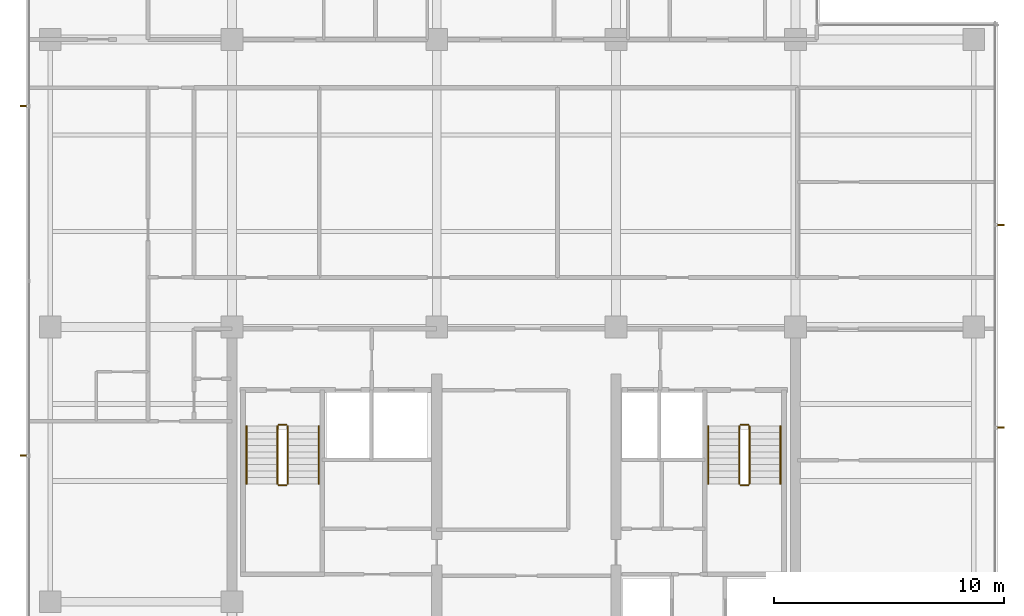
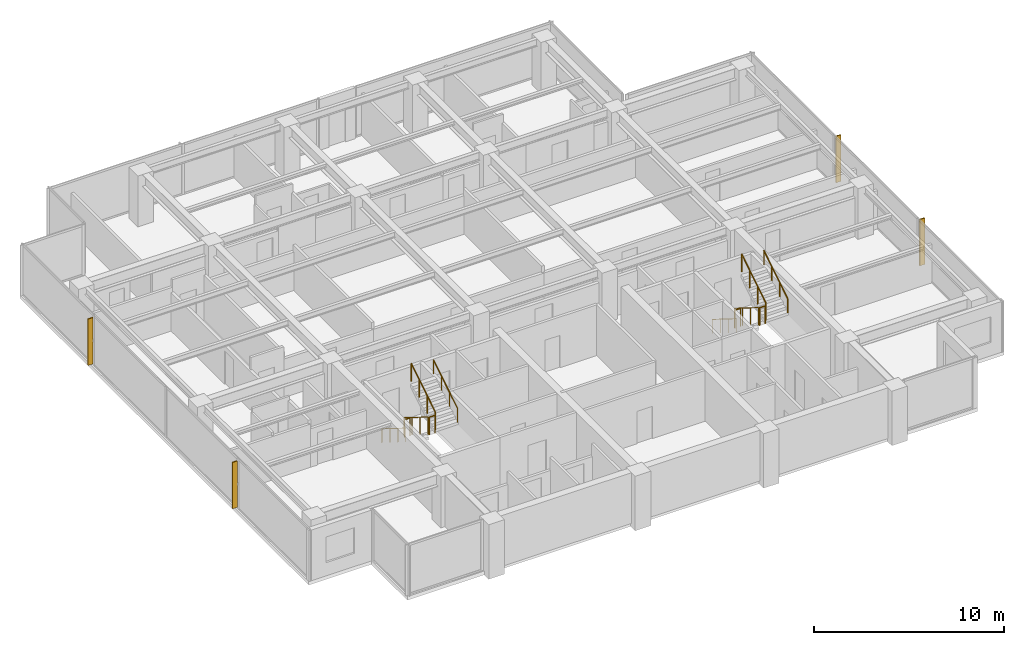
# One storey, part 14 of 15: 12 railings, 4 shading devices.
"""IFC4 building model written with IfcOpenShell, lengths in metres."""

from ifc_helpers import new_model, si_unit, direction, frame, origin, origin_2d, place, context, subcontext, project, spatial, polyline, circle, outline, extrude, material, layer, layer_set, type_object, element, save


model = new_model("IFC4")

# Units and contexts
model_context = context("Model", 3, precision=1e-05, world=origin(), true_north=direction((0.0, 1.0)))
body_context = subcontext(model_context, "Body", "Model", "MODEL_VIEW")
ifc_project = project(units=[si_unit("LENGTHUNIT", "METRE"), si_unit("AREAUNIT", "SQUARE_METRE"), si_unit("VOLUMEUNIT", "CUBIC_METRE"), si_unit("PLANEANGLEUNIT", "RADIAN"), si_unit("MASSUNIT", "GRAM", prefix="KILO")], contexts=[model_context])

# Site, building, storey
site_placement = place(None, origin())
site = spatial("IfcSite", under=ifc_project, at=site_placement, CompositionType="ELEMENT")
building_placement = place(site_placement, origin())
building = spatial("IfcBuilding", under=site, at=building_placement, Name="Qalmaran Belvedere Hotel", CompositionType="ELEMENT")
storey_placement = place(building_placement, frame((0.0, 0.0, 231.89990234375)))
storey = spatial("IfcBuildingStorey", under=building, at=storey_placement, Name="L59", CompositionType="ELEMENT", Elevation=231.89990234375)

# Shading devices
ifc_material_1 = material(Name="Anodised Bronze Aluminium", Category="aluminium")
ifc_layer = layer(ifc_material_1, 0.06494140625, Name="Anodised Bronze Aluminium")
ifc_layer_set = layer_set([ifc_layer], Name="Anodised Bronze Aluminium")
shading_device_type = type_object("IfcShadingDeviceType", Name="FIN-BRNZ-300", PredefinedType="USERDEFINED", material=ifc_layer_set)
shading_device_1_placement = place(storey_placement, frame((0.0, 0.0, 0.16015625)))
element("IfcShadingDevice", 1, at=shading_device_1_placement, inside=storey, type_object=shading_device_type, Name="L59 Bronze Fin 1", ObjectType="FIN", PredefinedType="USERDEFINED", context=body_context, shape_type="SweptSolid", body=[
    extrude(outline(polyline([(53.5673828125, 16.084228515625), (53.867431640625, 16.084228515625), (53.867431640625, 16.149169921875), (53.5673828125, 16.149169921875), (53.5673828125, 16.084228515625)])), origin(), (0.0, 0.0, 1.0), 2.97998046875),
])
shading_device_2_placement = place(storey_placement, frame((0.0, 0.0, 0.16015625)))
element("IfcShadingDevice", 2, at=shading_device_2_placement, inside=storey, type_object=shading_device_type, Name="L59 Bronze Fin 2", ObjectType="FIN", PredefinedType="USERDEFINED", context=body_context, shape_type="SweptSolid", body=[
    extrude(outline(polyline([(53.5673828125, 24.90087890625), (53.867431640625, 24.90087890625), (53.867431640625, 24.9658203125), (53.5673828125, 24.9658203125), (53.5673828125, 24.90087890625)])), origin(), (0.0, 0.0, 1.0), 2.97998046875),
])
shading_device_3_placement = place(storey_placement, frame((0.0, 0.0, 0.16015625)))
element("IfcShadingDevice", 3, at=shading_device_3_placement, inside=storey, type_object=shading_device_type, Name="L59 Bronze Fin 1", ObjectType="FIN", PredefinedType="USERDEFINED", context=body_context, shape_type="SweptSolid", body=[
    extrude(outline(polyline([(11.382568359375, 30.132568359375), (11.08251953125, 30.132568359375), (11.08251953125, 30.0673828125), (11.382568359375, 30.0673828125), (11.382568359375, 30.132568359375)])), origin(), (0.0, 0.0, 1.0), 2.97998046875),
])
shading_device_4_placement = place(storey_placement, frame((0.0, 0.0, 0.16015625)))
element("IfcShadingDevice", 4, at=shading_device_4_placement, inside=storey, type_object=shading_device_type, Name="L59 Bronze Fin 3", ObjectType="FIN", PredefinedType="USERDEFINED", context=body_context, shape_type="SweptSolid", body=[
    extrude(outline(polyline([(11.382568359375, 14.9326171875), (11.08251953125, 14.9326171875), (11.08251953125, 14.867431640625), (11.382568359375, 14.867431640625), (11.382568359375, 14.9326171875)])), origin(), (0.0, 0.0, 1.0), 2.97998046875),
])

# Railings
ifc_material_2 = material(Name="Stainless Steel 1.4401", Category="steel")
railing_type_1 = type_object("IfcRailingType", Name="RLG-STAIR-GUARD-1150", PredefinedType="GUARDRAIL", material=ifc_material_2)
railing_1_placement = place(storey_placement, frame((22.280029296875, 16.18994140625, 0.175048828125)))
element("IfcRailing", 5, at=railing_1_placement, inside=storey, type_object=railing_type_1, Name="L59 ST-1 stair guard 1", PredefinedType="GUARDRAIL", context=body_context, shape_type="SweptSolid", body=[
    extrude(circle(Radius=0.02392578125, at=origin_2d()), frame((0.0, 0.0, 1.1259765625), z_axis=(0.0, -0.848007534815, 0.529984170421), x_axis=(1.0, 0.0, 0.0)), (0.0, 0.0, 1.0), 2.9716796875),
    extrude(circle(Radius=0.02099609375, at=origin_2d()), origin(), (0.0, 0.0, 1.0), 1.101806640625),
    extrude(circle(Radius=0.02099609375, at=origin_2d()), frame((0.0, -0.840087890625, 0.52490234375)), (0.0, 0.0, 1.0), 1.101806640625),
    extrude(circle(Radius=0.02099609375, at=origin_2d()), frame((0.0, -1.679931640625, 1.050048828125)), (0.0, 0.0, 1.0), 1.101806640625),
    extrude(circle(Radius=0.02099609375, at=origin_2d()), frame((0.0, -2.52001953125, 1.574951171875)), (0.0, 0.0, 1.0), 1.101806640625),
])
railing_2_placement = place(storey_placement, frame((22.330078125, 13.6201171875, 1.75)))
element("IfcRailing", 6, at=railing_2_placement, inside=storey, type_object=railing_type_1, Name="L59 ST-1 stair guard 2", PredefinedType="GUARDRAIL", context=body_context, shape_type="SweptSolid", body=[
    extrude(circle(Radius=0.02392578125, at=origin_2d()), frame((0.0, 0.0, 1.1259765625), z_axis=(1.0, 0.0, 0.0), x_axis=(0.0, 1.0, 0.0)), (0.0, 0.0, 1.0), 0.33984375),
    extrude(circle(Radius=0.02099609375, at=origin_2d()), origin(), (0.0, 0.0, 1.0), 1.101806640625),
    extrude(circle(Radius=0.02099609375, at=origin_2d()), frame((0.33984375, 0.0, 0.0)), (0.0, 0.0, 1.0), 1.101806640625),
])
railing_3_placement = place(storey_placement, frame((22.719970703125, 13.669921875, 1.925048828125)))
element("IfcRailing", 7, at=railing_3_placement, inside=storey, type_object=railing_type_1, Name="L59 ST-1 stair guard 3", PredefinedType="GUARDRAIL", context=body_context, shape_type="SweptSolid", body=[
    extrude(circle(Radius=0.02392578125, at=origin_2d()), frame((0.0, 0.0, 1.1259765625), z_axis=(0.0, 0.848007534815, 0.529984170421), x_axis=(-1.0, 0.0, 0.0)), (0.0, 0.0, 1.0), 2.9716796875),
    extrude(circle(Radius=0.02099609375, at=origin_2d()), origin(), (0.0, 0.0, 1.0), 1.101806640625),
    extrude(circle(Radius=0.02099609375, at=origin_2d()), frame((0.0, 0.840087890625, 0.52490234375)), (0.0, 0.0, 1.0), 1.101806640625),
    extrude(circle(Radius=0.02099609375, at=origin_2d()), frame((0.0, 1.679931640625, 1.050048828125)), (0.0, 0.0, 1.0), 1.101806640625),
    extrude(circle(Radius=0.02099609375, at=origin_2d()), frame((0.0, 2.52001953125, 1.574951171875)), (0.0, 0.0, 1.0), 1.101806640625),
])
railing_4_placement = place(storey_placement, frame((22.330078125, 16.239990234375, 0.0)))
element("IfcRailing", 8, at=railing_4_placement, inside=storey, type_object=railing_type_1, Name="L59 ST-1 stair guard 4", PredefinedType="GUARDRAIL", context=body_context, shape_type="SweptSolid", body=[
    extrude(circle(Radius=0.02392578125, at=origin_2d()), frame((0.0, 0.0, 1.1259765625), z_axis=(1.0, 0.0, 0.0), x_axis=(0.0, 1.0, 0.0)), (0.0, 0.0, 1.0), 0.33984375),
    extrude(circle(Radius=0.02099609375, at=origin_2d()), origin(), (0.0, 0.0, 1.0), 1.101806640625),
    extrude(circle(Radius=0.02099609375, at=origin_2d()), frame((0.33984375, 0.0, 0.0)), (0.0, 0.0, 1.0), 1.101806640625),
])
railing_5_placement = place(storey_placement, frame((42.360107421875, 16.18994140625, 0.175048828125)))
element("IfcRailing", 9, at=railing_5_placement, inside=storey, type_object=railing_type_1, Name="L59 ST-2 stair guard 1", PredefinedType="GUARDRAIL", context=body_context, shape_type="SweptSolid", body=[
    extrude(circle(Radius=0.02392578125, at=origin_2d()), frame((0.0, 0.0, 1.1259765625), z_axis=(0.0, -0.848007534815, 0.529984170421), x_axis=(1.0, 0.0, 0.0)), (0.0, 0.0, 1.0), 2.9716796875),
    extrude(circle(Radius=0.02099609375, at=origin_2d()), origin(), (0.0, 0.0, 1.0), 1.101806640625),
    extrude(circle(Radius=0.02099609375, at=origin_2d()), frame((0.0, -0.840087890625, 0.52490234375)), (0.0, 0.0, 1.0), 1.101806640625),
    extrude(circle(Radius=0.02099609375, at=origin_2d()), frame((0.0, -1.679931640625, 1.050048828125)), (0.0, 0.0, 1.0), 1.101806640625),
    extrude(circle(Radius=0.02099609375, at=origin_2d()), frame((0.0, -2.52001953125, 1.574951171875)), (0.0, 0.0, 1.0), 1.101806640625),
])
railing_6_placement = place(storey_placement, frame((42.409912109375, 13.6201171875, 1.75)))
element("IfcRailing", 10, at=railing_6_placement, inside=storey, type_object=railing_type_1, Name="L59 ST-2 stair guard 2", PredefinedType="GUARDRAIL", context=body_context, shape_type="SweptSolid", body=[
    extrude(circle(Radius=0.02392578125, at=origin_2d()), frame((0.0, 0.0, 1.1259765625), z_axis=(1.0, 0.0, 0.0), x_axis=(0.0, 1.0, 0.0)), (0.0, 0.0, 1.0), 0.340087890625),
    extrude(circle(Radius=0.02099609375, at=origin_2d()), origin(), (0.0, 0.0, 1.0), 1.101806640625),
    extrude(circle(Radius=0.02099609375, at=origin_2d()), frame((0.340087890625, 0.0, 0.0)), (0.0, 0.0, 1.0), 1.101806640625),
])
railing_7_placement = place(storey_placement, frame((42.800048828125, 13.669921875, 1.925048828125)))
element("IfcRailing", 11, at=railing_7_placement, inside=storey, type_object=railing_type_1, Name="L59 ST-2 stair guard 3", PredefinedType="GUARDRAIL", context=body_context, shape_type="SweptSolid", body=[
    extrude(circle(Radius=0.02392578125, at=origin_2d()), frame((0.0, 0.0, 1.1259765625), z_axis=(0.0, 0.848007534815, 0.529984170421), x_axis=(-1.0, 0.0, 0.0)), (0.0, 0.0, 1.0), 2.9716796875),
    extrude(circle(Radius=0.02099609375, at=origin_2d()), origin(), (0.0, 0.0, 1.0), 1.101806640625),
    extrude(circle(Radius=0.02099609375, at=origin_2d()), frame((0.0, 0.840087890625, 0.52490234375)), (0.0, 0.0, 1.0), 1.101806640625),
    extrude(circle(Radius=0.02099609375, at=origin_2d()), frame((0.0, 1.679931640625, 1.050048828125)), (0.0, 0.0, 1.0), 1.101806640625),
    extrude(circle(Radius=0.02099609375, at=origin_2d()), frame((0.0, 2.52001953125, 1.574951171875)), (0.0, 0.0, 1.0), 1.101806640625),
])
railing_8_placement = place(storey_placement, frame((42.409912109375, 16.239990234375, 0.0)))
element("IfcRailing", 12, at=railing_8_placement, inside=storey, type_object=railing_type_1, Name="L59 ST-2 stair guard 4", PredefinedType="GUARDRAIL", context=body_context, shape_type="SweptSolid", body=[
    extrude(circle(Radius=0.02392578125, at=origin_2d()), frame((0.0, 0.0, 1.1259765625), z_axis=(1.0, 0.0, 0.0), x_axis=(0.0, 1.0, 0.0)), (0.0, 0.0, 1.0), 0.340087890625),
    extrude(circle(Radius=0.02099609375, at=origin_2d()), origin(), (0.0, 0.0, 1.0), 1.101806640625),
    extrude(circle(Radius=0.02099609375, at=origin_2d()), frame((0.340087890625, 0.0, 0.0)), (0.0, 0.0, 1.0), 1.101806640625),
])
railing_type_2 = type_object("IfcRailingType", Name="RLG-STAIR-HAND-910", PredefinedType="HANDRAIL", material=ifc_material_2)
railing_9_placement = place(storey_placement, frame((20.929931640625, 16.18994140625, 0.175048828125)))
element("IfcRailing", 13, at=railing_9_placement, inside=storey, type_object=railing_type_2, Name="L59 ST-1 stair handrail 1", PredefinedType="HANDRAIL", context=body_context, shape_type="SweptSolid", body=[
    extrude(circle(Radius=0.02392578125, at=origin_2d()), frame((0.0, 0.0, 0.8857421875), z_axis=(0.0, -0.848007534815, 0.529984170421), x_axis=(1.0, 0.0, 0.0)), (0.0, 0.0, 1.0), 2.9716796875),
    extrude(circle(Radius=0.02099609375, at=origin_2d()), origin(), (0.0, 0.0, 1.0), 0.86181640625),
    extrude(circle(Radius=0.02099609375, at=origin_2d()), frame((0.0, -0.840087890625, 0.52490234375)), (0.0, 0.0, 1.0), 0.86181640625),
    extrude(circle(Radius=0.02099609375, at=origin_2d()), frame((0.0, -1.679931640625, 1.050048828125)), (0.0, 0.0, 1.0), 0.86181640625),
    extrude(circle(Radius=0.02099609375, at=origin_2d()), frame((0.0, -2.52001953125, 1.574951171875)), (0.0, 0.0, 1.0), 0.86181640625),
])
railing_10_placement = place(storey_placement, frame((24.070068359375, 13.669921875, 1.925048828125)))
element("IfcRailing", 14, at=railing_10_placement, inside=storey, type_object=railing_type_2, Name="L59 ST-1 stair handrail 2", PredefinedType="HANDRAIL", context=body_context, shape_type="SweptSolid", body=[
    extrude(circle(Radius=0.02392578125, at=origin_2d()), frame((0.0, 0.0, 0.8857421875), z_axis=(0.0, 0.848007534815, 0.529984170421), x_axis=(-1.0, 0.0, 0.0)), (0.0, 0.0, 1.0), 2.9716796875),
    extrude(circle(Radius=0.02099609375, at=origin_2d()), origin(), (0.0, 0.0, 1.0), 0.86181640625),
    extrude(circle(Radius=0.02099609375, at=origin_2d()), frame((0.0, 0.840087890625, 0.52490234375)), (0.0, 0.0, 1.0), 0.86181640625),
    extrude(circle(Radius=0.02099609375, at=origin_2d()), frame((0.0, 1.679931640625, 1.050048828125)), (0.0, 0.0, 1.0), 0.86181640625),
    extrude(circle(Radius=0.02099609375, at=origin_2d()), frame((0.0, 2.52001953125, 1.574951171875)), (0.0, 0.0, 1.0), 0.86181640625),
])
railing_11_placement = place(storey_placement, frame((41.010009765625, 16.18994140625, 0.175048828125)))
element("IfcRailing", 15, at=railing_11_placement, inside=storey, type_object=railing_type_2, Name="L59 ST-2 stair handrail 1", PredefinedType="HANDRAIL", context=body_context, shape_type="SweptSolid", body=[
    extrude(circle(Radius=0.02392578125, at=origin_2d()), frame((0.0, 0.0, 0.8857421875), z_axis=(0.0, -0.848007534815, 0.529984170421), x_axis=(1.0, 0.0, 0.0)), (0.0, 0.0, 1.0), 2.9716796875),
    extrude(circle(Radius=0.02099609375, at=origin_2d()), origin(), (0.0, 0.0, 1.0), 0.86181640625),
    extrude(circle(Radius=0.02099609375, at=origin_2d()), frame((0.0, -0.840087890625, 0.52490234375)), (0.0, 0.0, 1.0), 0.86181640625),
    extrude(circle(Radius=0.02099609375, at=origin_2d()), frame((0.0, -1.679931640625, 1.050048828125)), (0.0, 0.0, 1.0), 0.86181640625),
    extrude(circle(Radius=0.02099609375, at=origin_2d()), frame((0.0, -2.52001953125, 1.574951171875)), (0.0, 0.0, 1.0), 0.86181640625),
])
railing_12_placement = place(storey_placement, frame((44.14990234375, 13.669921875, 1.925048828125)))
element("IfcRailing", 16, at=railing_12_placement, inside=storey, type_object=railing_type_2, Name="L59 ST-2 stair handrail 2", PredefinedType="HANDRAIL", context=body_context, shape_type="SweptSolid", body=[
    extrude(circle(Radius=0.02392578125, at=origin_2d()), frame((0.0, 0.0, 0.8857421875), z_axis=(0.0, 0.848007534815, 0.529984170421), x_axis=(-1.0, 0.0, 0.0)), (0.0, 0.0, 1.0), 2.9716796875),
    extrude(circle(Radius=0.02099609375, at=origin_2d()), origin(), (0.0, 0.0, 1.0), 0.86181640625),
    extrude(circle(Radius=0.02099609375, at=origin_2d()), frame((0.0, 0.840087890625, 0.52490234375)), (0.0, 0.0, 1.0), 0.86181640625),
    extrude(circle(Radius=0.02099609375, at=origin_2d()), frame((0.0, 1.679931640625, 1.050048828125)), (0.0, 0.0, 1.0), 0.86181640625),
    extrude(circle(Radius=0.02099609375, at=origin_2d()), frame((0.0, 2.52001953125, 1.574951171875)), (0.0, 0.0, 1.0), 0.86181640625),
])

save(model, "model.ifc")
